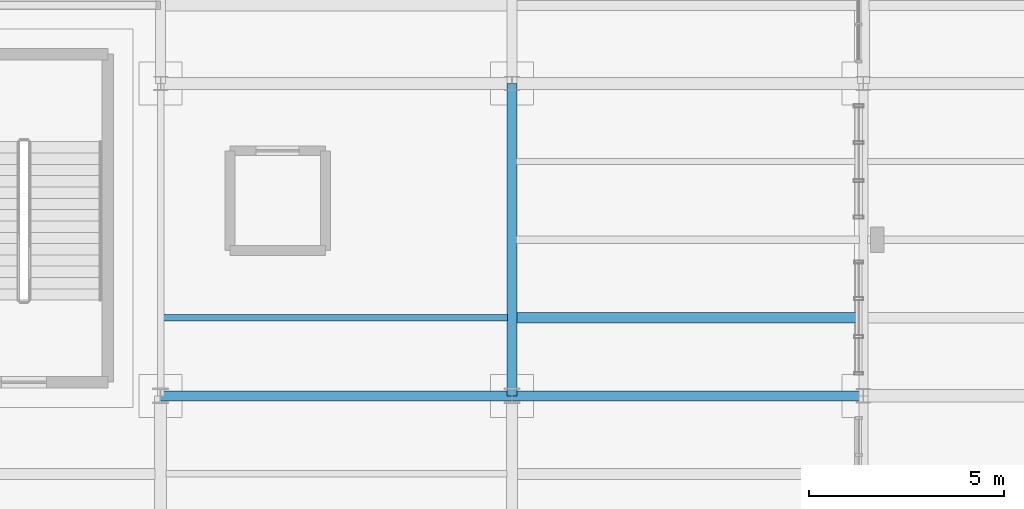
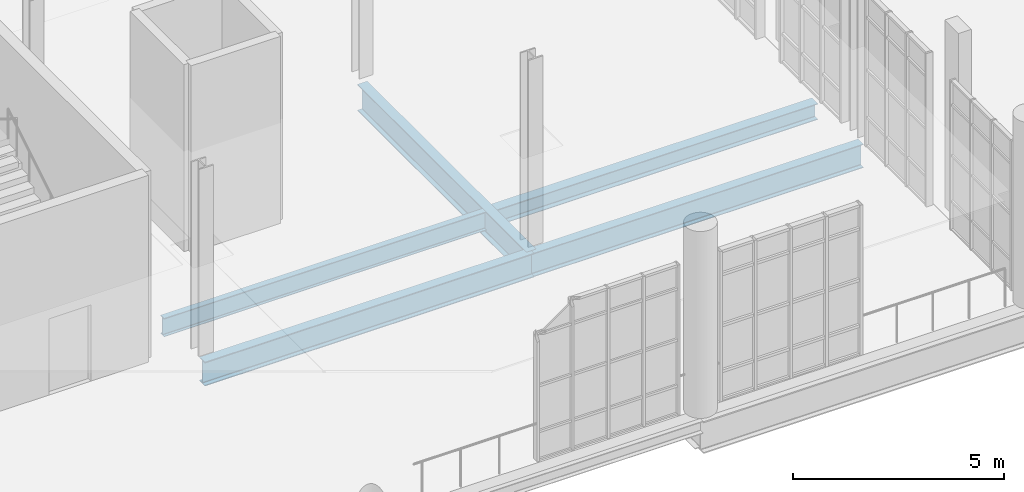
# One storey, part 73 of 142: 5 beams.
"""IFC4 building model written with IfcOpenShell, lengths in metres."""

from ifc_helpers import new_model, si_unit, direction, frame, origin, origin_2d, place, context, subcontext, project, spatial, i_section, extrude, material, material_profile, profile_set, type_object, element, save


model = new_model("IFC4")

# Units and contexts
model_context = context("Model", 3, precision=1e-05, world=origin(), true_north=direction((0.0, 1.0)))
body_context = subcontext(model_context, "Body", "Model", "MODEL_VIEW")
ifc_project = project(units=[si_unit("LENGTHUNIT", "METRE"), si_unit("AREAUNIT", "SQUARE_METRE"), si_unit("VOLUMEUNIT", "CUBIC_METRE"), si_unit("PLANEANGLEUNIT", "RADIAN"), si_unit("MASSUNIT", "GRAM", prefix="KILO"), si_unit("THERMODYNAMICTEMPERATUREUNIT", "KELVIN"), si_unit("POWERUNIT", "WATT")], contexts=[model_context])

# Site, building, storey
site_placement = place(None, origin())
site = spatial("IfcSite", under=ifc_project, at=site_placement, CompositionType="ELEMENT")
building_placement = place(site_placement, origin())
building = spatial("IfcBuilding", under=site, at=building_placement, Name="Zelmaris Science Centre", CompositionType="ELEMENT")
storey_placement = place(building_placement, frame((0.0, 0.0, 5.39990234375)))
storey = spatial("IfcBuildingStorey", under=building, at=storey_placement, Name="L01", CompositionType="ELEMENT", Elevation=5.39990234375)

# Beams
ifc_material = material(Name="Steel ASTM A992 Grade 50", Category="steel")
ifc_material_profile_1 = material_profile(ifc_material, i_section(OverallWidth=0.26708984375, OverallDepth=0.77001953125, WebThickness=0.015625, FlangeThickness=0.025390625, FilletRadius=0.01904296875, at=origin_2d()), Name="W30X132")
ifc_profile_set_1 = profile_set([ifc_material_profile_1], Name="Steel ASTM A992 Grade 50")
beam_type_1 = type_object("IfcBeamType", Name="Beam G-09 W30X132", PredefinedType="BEAM", material=ifc_profile_set_1)
beam_1_placement = place(storey_placement, frame((135.0, 16.0, -0.664794921875), z_axis=(0.0, 1.0, 0.0), x_axis=(-1.0, 0.0, 0.0)))
element("IfcBeam", 1, at=beam_1_placement, inside=storey, type_object=beam_type_1, Name="L01 North-south girder 314", PredefinedType="BEAM", context=body_context, shape_type="SweptSolid", body=[
    extrude(i_section(OverallWidth=0.26708984375, OverallDepth=0.77001953125, WebThickness=0.015625, FlangeThickness=0.025390625, FilletRadius=0.01904296875, at=origin_2d()), origin(), (0.0, 0.0, 1.0), 8.0),
])
ifc_material_profile_2 = material_profile(ifc_material, i_section(OverallWidth=0.257080078125, OverallDepth=0.693115234375, WebThickness=0.014404296875, FlangeThickness=0.023681640625, FilletRadius=0.01806640625, at=origin_2d()), Name="W27X114")
ifc_profile_set_2 = profile_set([ifc_material_profile_2], Name="Steel ASTM A992 Grade 50")
beam_type_2 = type_object("IfcBeamType", Name="Beam G-12 W27X114", PredefinedType="BEAM", material=ifc_profile_set_2)
beam_2_placement = place(storey_placement, frame((126.0, 16.0, -0.62646484375), z_axis=(1.0, 0.0, 0.0), x_axis=(0.0, 1.0, 0.0)))
element("IfcBeam", 2, at=beam_2_placement, inside=storey, type_object=beam_type_2, Name="L01 East-west girder 347", PredefinedType="BEAM", context=body_context, shape_type="SweptSolid", body=[
    extrude(i_section(OverallWidth=0.257080078125, OverallDepth=0.693115234375, WebThickness=0.014404296875, FlangeThickness=0.023681640625, FilletRadius=0.01806640625, at=origin_2d()), origin(), (0.0, 0.0, 1.0), 9.0),
])
ifc_material_profile_3 = material_profile(ifc_material, i_section(OverallWidth=0.25390625, OverallDepth=0.68310546875, WebThickness=0.012451171875, FlangeThickness=0.018798828125, FilletRadius=0.01806640625, at=origin_2d()), Name="W27X94")
ifc_profile_set_3 = profile_set([ifc_material_profile_3], Name="Steel ASTM A992 Grade 50")
beam_type_3 = type_object("IfcBeamType", Name="Beam G-13 W27X94", PredefinedType="BEAM", material=ifc_profile_set_3)
beam_3_placement = place(storey_placement, frame((135.0, 16.0, -0.621337890625), z_axis=(1.0, 0.0, 0.0), x_axis=(0.0, 1.0, 0.0)))
element("IfcBeam", 3, at=beam_3_placement, inside=storey, type_object=beam_type_3, Name="L01 East-west girder 348", PredefinedType="BEAM", context=body_context, shape_type="SweptSolid", body=[
    extrude(i_section(OverallWidth=0.25390625, OverallDepth=0.68310546875, WebThickness=0.012451171875, FlangeThickness=0.018798828125, FilletRadius=0.01806640625, at=origin_2d()), origin(), (0.0, 0.0, 1.0), 9.0),
])
ifc_material_profile_4 = material_profile(ifc_material, i_section(OverallWidth=0.16796875, OverallDepth=0.532958984375, WebThickness=0.01025390625, FlangeThickness=0.0166015625, FilletRadius=0.013916015625, at=origin_2d()), Name="W21X57")
ifc_profile_set_4 = profile_set([ifc_material_profile_4], Name="Steel ASTM A992 Grade 50")
beam_type_4 = type_object("IfcBeamType", Name="Beam J-01 W21X57", PredefinedType="JOIST", material=ifc_profile_set_4)
beam_4_placement = place(storey_placement, frame((126.0673828125, 18.0, -0.54638671875), z_axis=(1.0, 0.0, 0.0), x_axis=(0.0, 1.0, 0.0)))
element("IfcBeam", 4, at=beam_4_placement, inside=storey, type_object=beam_type_4, Name="L01 Composite floor joist 189", PredefinedType="JOIST", context=body_context, shape_type="SweptSolid", body=[
    extrude(i_section(OverallWidth=0.16796875, OverallDepth=0.532958984375, WebThickness=0.01025390625, FlangeThickness=0.0166015625, FilletRadius=0.013916015625, at=origin_2d()), origin(), (0.0, 0.0, 1.0), 8.814208984375),
])
ifc_material_profile_5 = material_profile(ifc_material, i_section(OverallWidth=0.279052734375, OverallDepth=0.4619140625, WebThickness=0.0107421875, FlangeThickness=0.017333984375, FilletRadius=0.012939453125, at=origin_2d()), Name="W18X76")
ifc_profile_set_5 = profile_set([ifc_material_profile_5], Name="Steel ASTM A992 Grade 50")
beam_type_5 = type_object("IfcBeamType", Name="Beam J-03 W18X76", PredefinedType="JOIST", material=ifc_profile_set_5)
beam_5_placement = place(storey_placement, frame((135.118408203125, 18.0, -0.510986328125), z_axis=(1.0, 0.0, 0.0), x_axis=(0.0, 1.0, 0.0)))
element("IfcBeam", 5, at=beam_5_placement, inside=storey, type_object=beam_type_5, Name="L01 Composite floor joist 200", PredefinedType="JOIST", context=body_context, shape_type="SweptSolid", body=[
    extrude(i_section(OverallWidth=0.279052734375, OverallDepth=0.4619140625, WebThickness=0.0107421875, FlangeThickness=0.017333984375, FilletRadius=0.012939453125, at=origin_2d()), origin(), (0.0, 0.0, 1.0), 8.781982421875),
])

save(model, "model.ifc")
